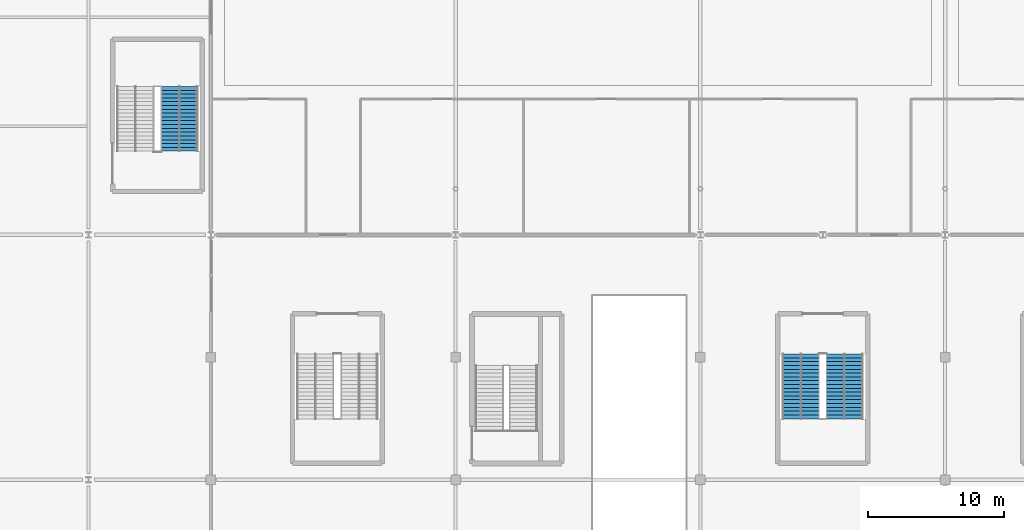
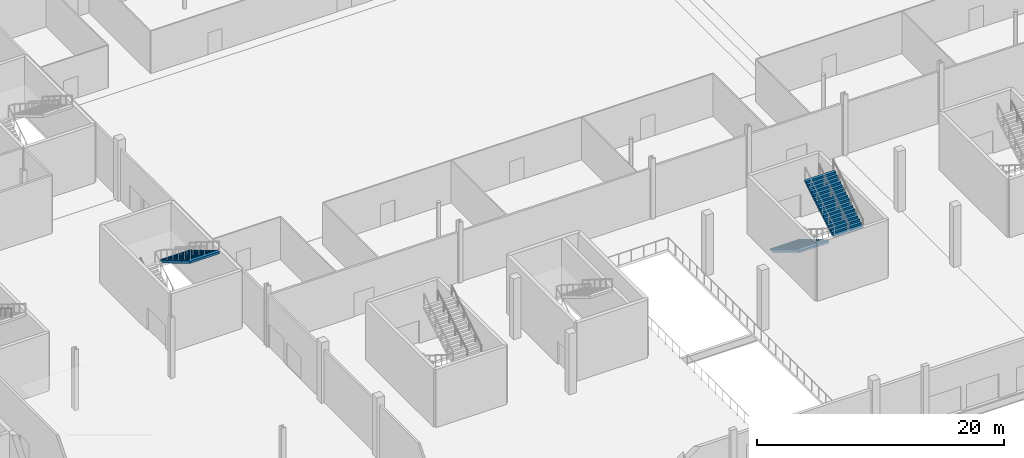
# One storey, part 56 of 84: 3 stair flights, 2 elements without a shape of their own.
"""IFC4 building model written with IfcOpenShell, lengths in metres."""

import ifcopenshell
import ifcopenshell.guid

model = None  # the IFC model being written
_history = None  # IfcOwnerHistory: only IFC2X3 demands one
_inside = {}  # id of a spatial element -> (the spatial element, [elements in it])
_under = {}  # id of a project, library or spatial element -> (it, [spatial elements below it])
_declared = {}  # id of a project -> (the project, [libraries it declares])
_typed = {}  # id of a type object -> (the type object, [elements of that type])
_made_of = {}  # id of a material, layer set ... -> (it, [elements and type objects made of it])


def new_model(schema):
    """Start an empty IFC model of exactly this schema.

    Asked for "IFC4X3", IfcOpenShell would pick the latest addendum, in which some entities
    have other attributes; the version numbers below select the first issue.
    IFC2X3 requires an IfcOwnerHistory on every rooted entity: one is made here for all.
    """
    global model, _history
    if schema == "IFC4X3":
        model = ifcopenshell.file(schema_version=(4, 3, 0, 0))
    else:
        model = ifcopenshell.file(schema=schema)
    _inside.clear()
    _under.clear()
    _declared.clear()
    _typed.clear()
    _made_of.clear()
    _history = None
    if model.schema == "IFC2X3":
        org = make("IfcOrganization", Name="unknown")
        user = make(
            "IfcPersonAndOrganization",
            ThePerson=make("IfcPerson", FamilyName="unknown"),
            TheOrganization=org,
        )
        app = make(
            "IfcApplication",
            ApplicationDeveloper=org,
            Version="unknown",
            ApplicationFullName="unknown",
            ApplicationIdentifier="unknown",
        )
        _history = make(
            "IfcOwnerHistory",
            OwningUser=user,
            OwningApplication=app,
            ChangeAction="ADDED",
            CreationDate=0,
        )
    return model


def make(cls, **values):
    """One entity of the class cls with the attributes given. An attribute that is None is left unset."""
    return model.create_entity(
        cls, **{name: value for name, value in values.items() if value is not None}
    )


def rooted(cls, **values):
    """An entity with a GlobalId (a new one), such as an element, a storey or a relation."""
    return make(cls, GlobalId=ifcopenshell.guid.new(), OwnerHistory=_history, **values)


def si_unit(unit_type, name, prefix=None):
    """IfcSIUnit, for example si_unit("LENGTHUNIT", "METRE", prefix="MILLI")."""
    return make("IfcSIUnit", UnitType=unit_type, Prefix=prefix, Name=name)


def assignment(units):
    """IfcUnitAssignment: the units of a project."""
    return None if units is None else make("IfcUnitAssignment", Units=units)


def point(xyz):
    """IfcCartesianPoint."""
    return None if xyz is None else make("IfcCartesianPoint", Coordinates=xyz)


def direction(xyz):
    """IfcDirection."""
    return None if xyz is None else make("IfcDirection", DirectionRatios=xyz)


def frame(location, z_axis=None, x_axis=None):
    """IfcAxis2Placement3D, a coordinate frame: its origin and axes. An axis left out is left unset."""
    return make(
        "IfcAxis2Placement3D",
        Location=point(location),
        Axis=direction(z_axis),
        RefDirection=direction(x_axis),
    )


def origin():
    """The frame at (0, 0, 0) with its axes left unset."""
    return frame((0.0, 0.0, 0.0))


def place(relative_to, where):
    """IfcLocalPlacement: puts the frame where relative to a parent placement (None: the world)."""
    return make(
        "IfcLocalPlacement", PlacementRelTo=relative_to, RelativePlacement=where
    )


def context(
    kind, dimensions, precision=None, world=None, true_north=None, identifier=None
):
    """IfcGeometricRepresentationContext, for example the 3D "Model" context."""
    return make(
        "IfcGeometricRepresentationContext",
        ContextIdentifier=identifier,
        ContextType=kind,
        CoordinateSpaceDimension=dimensions,
        Precision=precision,
        WorldCoordinateSystem=world,
        TrueNorth=true_north,
    )


def subcontext(parent, identifier, kind, view, scale=None):
    """IfcGeometricRepresentationSubContext, for example "Body" below "Model"."""
    return make(
        "IfcGeometricRepresentationSubContext",
        ContextIdentifier=identifier,
        ContextType=kind,
        ParentContext=parent,
        TargetScale=scale,
        TargetView=view,
    )


def project(units=None, contexts=None):
    """IfcProject with its units and contexts."""
    return rooted(
        "IfcProject",
        Name="project",
        RepresentationContexts=contexts,
        UnitsInContext=assignment(units),
    )


def spatial(cls, under=None, at=None, **own):
    """A site, building, storey or space (cls), placed at a placement, below another one or the project."""
    s = rooted(cls, ObjectPlacement=at, **own)
    if under is not None:
        _under.setdefault(under.id(), (under, []))[1].append(s)
    return s


def point_list(points):
    """IfcCartesianPointList2D or 3D."""
    cls = (
        "IfcCartesianPointList2D" if len(points[0]) == 2 else "IfcCartesianPointList3D"
    )
    return make(cls, CoordList=points)


def polygons(points, faces, closed=None, point_numbers=None):
    """IfcPolygonalFaceSet: a face is its outer loop, then its inner loops; points numbered from 1."""
    made = []
    for loops in faces:
        if len(loops) == 1:
            made.append(make("IfcIndexedPolygonalFace", CoordIndex=loops[0]))
        else:
            made.append(
                make(
                    "IfcIndexedPolygonalFaceWithVoids",
                    CoordIndex=loops[0],
                    InnerCoordIndices=loops[1:],
                )
            )
    return make(
        "IfcPolygonalFaceSet",
        Coordinates=point_list(points),
        Closed=closed,
        Faces=made,
        PnIndex=point_numbers,
    )


def shape(context_of_items, identifier, shape_type, items):
    """IfcShapeRepresentation: the items that make up one representation, for example the "Body"."""
    return make(
        "IfcShapeRepresentation",
        ContextOfItems=context_of_items,
        RepresentationIdentifier=identifier,
        RepresentationType=shape_type,
        Items=items,
    )


def material(Name=None, Category=None):
    """IfcMaterial."""
    return make("IfcMaterial", Name=Name, Category=Category)


def made_of(thing, what):
    """Note that an element or type object is made of a material, layer set ...; save() writes the relation."""
    if what is not None:
        _made_of.setdefault(what.id(), (what, []))[1].append(thing)
    return thing


def type_object(cls, material=None, **own):
    """A type object (cls), such as IfcWallType, which elements share."""
    return made_of(rooted(cls, **own), material)


def element(
    cls,
    number,
    at=None,
    inside=None,
    cuts=None,
    type_object=None,
    material=None,
    context=None,
    identifier="Body",
    shape_type=None,
    held_by="IfcProductDefinitionShape",
    body=None,
    shapes=None,
    **own,
):
    """One element of the class cls, such as IfcWall. Its Tag is "e" and its number.

    at: its placement. inside: the storey or other place that contains it. cuts: it is an
    opening in that element (IfcRelVoidsElement). A single representation is given by context,
    identifier, shape_type and body (its items); several are given by shapes. held_by: the class
    of the entity that holds the representations. save() writes the other relations.
    """
    e = rooted(cls, Tag="e%d" % number, ObjectPlacement=at, **own)
    if body is not None:
        shapes = [shape(context, identifier, shape_type, body)]
    if shapes is not None:
        e.Representation = make(held_by, Representations=shapes)
    if inside is not None:
        _inside.setdefault(inside.id(), (inside, []))[1].append(e)
    if cuts is not None:
        rooted(
            "IfcRelVoidsElement", RelatingBuildingElement=cuts, RelatedOpeningElement=e
        )
    if type_object is not None:
        _typed.setdefault(type_object.id(), (type_object, []))[1].append(e)
    return made_of(e, material)


def aggregate(whole, parts):
    """IfcRelAggregates: a whole, such as a stair, and the parts it consists of."""
    return rooted("IfcRelAggregates", RelatingObject=whole, RelatedObjects=parts)


def save(model, path):
    """Write the relations noted so far, then the file.

    IfcRelAggregates (storeys below a building ...), IfcRelContainedInSpatialStructure (elements
    in a storey), IfcRelDefinesByType, IfcRelAssociatesMaterial and IfcRelDeclares: one each for
    every whole, place, type object, material and project.
    """
    for whole, parts in _under.values():
        aggregate(whole, parts)
    for where, things in _inside.values():
        rooted(
            "IfcRelContainedInSpatialStructure",
            RelatedElements=things,
            RelatingStructure=where,
        )
    for kind, things in _typed.values():
        rooted("IfcRelDefinesByType", RelatedObjects=things, RelatingType=kind)
    for what, things in _made_of.values():
        rooted("IfcRelAssociatesMaterial", RelatedObjects=things, RelatingMaterial=what)
    for by, libraries in _declared.values():
        rooted("IfcRelDeclares", RelatingContext=by, RelatedDefinitions=libraries)
    model.write(path)


model = new_model("IFC4")

# Units and contexts
model_context = context("Model", 3, precision=1e-05, world=origin(), true_north=direction((0.0, 1.0)))
body_context = subcontext(model_context, "Body", "Model", "MODEL_VIEW")
ifc_project = project(units=[si_unit("LENGTHUNIT", "METRE"), si_unit("AREAUNIT", "SQUARE_METRE"), si_unit("VOLUMEUNIT", "CUBIC_METRE"), si_unit("PLANEANGLEUNIT", "RADIAN"), si_unit("MASSUNIT", "GRAM", prefix="KILO")], contexts=[model_context])

# Site, building, storey
site_placement = place(None, origin())
site = spatial("IfcSite", under=ifc_project, at=site_placement, CompositionType="ELEMENT")
building_placement = place(site_placement, origin())
building = spatial("IfcBuilding", under=site, at=building_placement, Name="Kisiwana Market Hall", CompositionType="ELEMENT")
storey_placement = place(building_placement, origin())
storey = spatial("IfcBuildingStorey", under=building, at=storey_placement, Name="L00", CompositionType="ELEMENT", Elevation=0.0)

# Stair, stair flight
ifc_material_1 = material(Name="Concrete C32/40", Category="concrete")
stair_type = type_object("IfcStairType", Name="ST-ESC-6000", PredefinedType="TWO_STRAIGHT_RUN_STAIR", material=ifc_material_1)
stair_1_placement = place(storey_placement, origin())
stair_1 = element("IfcStair", 1, at=stair_1_placement, inside=storey, type_object=stair_type, Name="Escape stair ST-W9-L00", PredefinedType="TWO_STRAIGHT_RUN_STAIR")
ifc_material_2 = material(Name="Concrete C32/40", Category="concrete")
stair_flight_type = type_object("IfcStairFlightType", Name="SF-ESC-6000", PredefinedType="STRAIGHT", material=ifc_material_2)
stair_flight_1_placement = place(storey_placement, frame((42.679931640625, 46.919921875, 3.0), z_axis=(0.0, 0.0, 1.0), x_axis=(0.0, -1.0, 0.0)))
stair_flight_1 = element("IfcStairFlight", 2, at=stair_flight_1_placement, type_object=stair_flight_type, Name="ST-W9-L00 flight 2", NumberOfRisers=18, NumberOfTreads=17, PredefinedType="STRAIGHT", RiserHeight=0.166667, TreadLength=0.28, context=body_context, shape_type="Tessellation", body=[
    polygons([(0.0, -1.380127, 0.0), (0.0, -0.690125, 0.0), (0.0, -0.000122, 0.0), (0.0, 0.68988, 0.0), (0.0, 1.379883, 0.0), (0.0, -1.380127, 0.166748), (0.0, -0.690125, 0.166748), (0.0, -0.000122, 0.166748), (0.0, 0.68988, 0.166748), (0.0, 1.379883, 0.166748), (0.280029, -1.380127, 0.166748), (0.280029, -0.690125, 0.166748), (0.280029, -0.000122, 0.166748), (0.280029, 0.68988, 0.166748), (0.280029, 1.379883, 0.166748), (0.280029, -1.380127, 0.333252), (0.280029, -0.690125, 0.333252), (0.280029, -0.000122, 0.333252), (0.280029, 0.68988, 0.333252), (0.280029, 1.379883, 0.333252), (0.560059, -1.380127, 0.333252), (0.560059, -0.690125, 0.333252), (0.560059, -0.000122, 0.333252), (0.560059, 0.68988, 0.333252), (0.560059, 1.379883, 0.333252), (0.560059, -1.380127, 0.5), (0.560059, -0.690125, 0.5), (0.560059, -0.000122, 0.5), (0.560059, 0.68988, 0.5), (0.560059, 1.379883, 0.5), (0.840088, -1.380127, 0.5), (0.840088, -0.690125, 0.5), (0.840088, -0.000122, 0.5), (0.840088, 0.68988, 0.5), (0.840088, 1.379883, 0.5), (0.840088, -1.380127, 0.666748), (0.840088, -0.690125, 0.666748), (0.840088, -0.000122, 0.666748), (0.840088, 0.68988, 0.666748), (0.840088, 1.379883, 0.666748), (1.120117, -1.380127, 0.666748), (1.120117, -0.690125, 0.666748), (1.120117, -0.000122, 0.666748), (1.120117, 0.68988, 0.666748), (1.120117, 1.379883, 0.666748), (1.120117, -1.380127, 0.833252), (1.120117, -0.690125, 0.833252), (1.120117, -0.000122, 0.833252), (1.120117, 0.68988, 0.833252), (1.120117, 1.379883, 0.833252), (1.399902, -1.380127, 0.833252), (1.399902, -0.690125, 0.833252), (1.399902, -0.000122, 0.833252), (1.399902, 0.68988, 0.833252), (1.399902, 1.379883, 0.833252), (1.399902, -1.380127, 1.0), (1.399902, -0.690125, 1.0), (1.399902, -0.000122, 1.0), (1.399902, 0.68988, 1.0), (1.399902, 1.379883, 1.0), (1.679932, -1.380127, 1.0), (1.679932, -0.690125, 1.0), (1.679932, -0.000122, 1.0), (1.679932, 0.68988, 1.0), (1.679932, 1.379883, 1.0), (1.679932, -1.380127, 1.166748), (1.679932, -0.690125, 1.166748), (1.679932, -0.000122, 1.166748), (1.679932, 0.68988, 1.166748), (1.679932, 1.379883, 1.166748), (1.959961, -1.380127, 1.166748), (1.959961, -0.690125, 1.166748), (1.959961, -0.000122, 1.166748), (1.959961, 0.68988, 1.166748), (1.959961, 1.379883, 1.166748), (1.959961, -1.380127, 1.333252), (1.959961, -0.690125, 1.333252), (1.959961, -0.000122, 1.333252), (1.959961, 0.68988, 1.333252), (1.959961, 1.379883, 1.333252), (2.23999, -1.380127, 1.333252), (2.23999, -0.690125, 1.333252), (2.23999, -0.000122, 1.333252), (2.23999, 0.68988, 1.333252), (2.23999, 1.379883, 1.333252), (2.23999, -1.380127, 1.5), (2.23999, -0.690125, 1.5), (2.23999, -0.000122, 1.5), (2.23999, 0.68988, 1.5), (2.23999, 1.379883, 1.5), (2.52002, -1.380127, 1.5), (2.52002, -0.690125, 1.5), (2.52002, -0.000122, 1.5), (2.52002, 0.68988, 1.5), (2.52002, 1.379883, 1.5), (2.52002, -1.380127, 1.666748), (2.52002, -0.690125, 1.666748), (2.52002, -0.000122, 1.666748), (2.52002, 0.68988, 1.666748), (2.52002, 1.379883, 1.666748), (2.800049, -1.380127, 1.666748), (2.800049, -0.690125, 1.666748), (2.800049, -0.000122, 1.666748), (2.800049, 0.68988, 1.666748), (2.800049, 1.379883, 1.666748), (2.800049, -1.380127, 1.833252), (2.800049, -0.690125, 1.833252), (2.800049, -0.000122, 1.833252), (2.800049, 0.68988, 1.833252), (2.800049, 1.379883, 1.833252), (3.080078, -1.380127, 1.833252), (3.080078, -0.690125, 1.833252), (3.080078, -0.000122, 1.833252), (3.080078, 0.68988, 1.833252), (3.080078, 1.379883, 1.833252), (3.080078, -1.380127, 2.0), (3.080078, -0.690125, 2.0), (3.080078, -0.000122, 2.0), (3.080078, 0.68988, 2.0), (3.080078, 1.379883, 2.0), (3.360107, -1.380127, 2.0), (3.360107, -0.690125, 2.0), (3.360107, -0.000122, 2.0), (3.360107, 0.68988, 2.0), (3.360107, 1.379883, 2.0), (3.360107, -1.380127, 2.166748), (3.360107, -0.690125, 2.166748), (3.360107, -0.000122, 2.166748), (3.360107, 0.68988, 2.166748), (3.360107, 1.379883, 2.166748), (3.639893, -1.380127, 2.166748), (3.639893, -0.690125, 2.166748), (3.639893, -0.000122, 2.166748), (3.639893, 0.68988, 2.166748), (3.639893, 1.379883, 2.166748), (3.639893, -1.380127, 2.333252), (3.639893, -0.690125, 2.333252), (3.639893, -0.000122, 2.333252), (3.639893, 0.68988, 2.333252), (3.639893, 1.379883, 2.333252), (3.919922, -1.380127, 2.333252), (3.919922, -0.690125, 2.333252), (3.919922, -0.000122, 2.333252), (3.919922, 0.68988, 2.333252), (3.919922, 1.379883, 2.333252), (3.919922, -1.380127, 2.5), (3.919922, -0.690125, 2.5), (3.919922, -0.000122, 2.5), (3.919922, 0.68988, 2.5), (3.919922, 1.379883, 2.5), (4.199951, -1.380127, 2.5), (4.199951, -0.690125, 2.5), (4.199951, -0.000122, 2.5), (4.199951, 0.68988, 2.5), (4.199951, 1.379883, 2.5), (4.199951, -1.380127, 2.666748), (4.199951, -0.690125, 2.666748), (4.199951, -0.000122, 2.666748), (4.199951, 0.68988, 2.666748), (4.199951, 1.379883, 2.666748), (4.47998, -1.380127, 2.666748), (4.47998, -0.690125, 2.666748), (4.47998, -0.000122, 2.666748), (4.47998, 0.68988, 2.666748), (4.47998, 1.379883, 2.666748), (4.47998, -1.380127, 2.833252), (4.47998, -0.690125, 2.833252), (4.47998, -0.000122, 2.833252), (4.47998, 0.68988, 2.833252), (4.47998, 1.379883, 2.833252), (4.76001, -1.380127, 2.833252), (4.76001, -0.690125, 2.833252), (4.76001, -0.000122, 2.833252), (4.76001, 0.68988, 2.833252), (4.76001, 1.379883, 2.833252), (4.76001, -1.380127, 2.624023), (4.76001, -0.690125, 2.624023), (4.76001, -0.000122, 2.624023), (4.76001, 0.68988, 2.624023), (4.76001, 1.379883, 2.624023), (0.351807, -1.380127, 0.0), (0.351807, -0.690125, 0.0), (0.351807, -0.000122, 0.0), (0.351807, 0.68988, 0.0), (0.351807, 1.379883, 0.0)], [[[1, 6, 7, 2]], [[2, 7, 8, 3]], [[3, 8, 9, 4]], [[4, 9, 10, 5]], [[6, 11, 12, 7]], [[7, 12, 13, 8]], [[8, 13, 14, 9]], [[9, 14, 15, 10]], [[11, 16, 17, 12]], [[12, 17, 18, 13]], [[13, 18, 19, 14]], [[14, 19, 20, 15]], [[16, 21, 22, 17]], [[17, 22, 23, 18]], [[18, 23, 24, 19]], [[19, 24, 25, 20]], [[21, 26, 27, 22]], [[22, 27, 28, 23]], [[23, 28, 29, 24]], [[24, 29, 30, 25]], [[26, 31, 32, 27]], [[27, 32, 33, 28]], [[28, 33, 34, 29]], [[29, 34, 35, 30]], [[31, 36, 37, 32]], [[32, 37, 38, 33]], [[33, 38, 39, 34]], [[34, 39, 40, 35]], [[36, 41, 42, 37]], [[37, 42, 43, 38]], [[38, 43, 44, 39]], [[39, 44, 45, 40]], [[41, 46, 47, 42]], [[42, 47, 48, 43]], [[43, 48, 49, 44]], [[44, 49, 50, 45]], [[46, 51, 52, 47]], [[47, 52, 53, 48]], [[48, 53, 54, 49]], [[49, 54, 55, 50]], [[51, 56, 57, 52]], [[52, 57, 58, 53]], [[53, 58, 59, 54]], [[54, 59, 60, 55]], [[56, 61, 62, 57]], [[57, 62, 63, 58]], [[58, 63, 64, 59]], [[59, 64, 65, 60]], [[61, 66, 67, 62]], [[62, 67, 68, 63]], [[63, 68, 69, 64]], [[64, 69, 70, 65]], [[66, 71, 72, 67]], [[67, 72, 73, 68]], [[68, 73, 74, 69]], [[69, 74, 75, 70]], [[71, 76, 77, 72]], [[72, 77, 78, 73]], [[73, 78, 79, 74]], [[74, 79, 80, 75]], [[76, 81, 82, 77]], [[77, 82, 83, 78]], [[78, 83, 84, 79]], [[79, 84, 85, 80]], [[81, 86, 87, 82]], [[82, 87, 88, 83]], [[83, 88, 89, 84]], [[84, 89, 90, 85]], [[86, 91, 92, 87]], [[87, 92, 93, 88]], [[88, 93, 94, 89]], [[89, 94, 95, 90]], [[91, 96, 97, 92]], [[92, 97, 98, 93]], [[93, 98, 99, 94]], [[94, 99, 100, 95]], [[96, 101, 102, 97]], [[97, 102, 103, 98]], [[98, 103, 104, 99]], [[99, 104, 105, 100]], [[101, 106, 107, 102]], [[102, 107, 108, 103]], [[103, 108, 109, 104]], [[104, 109, 110, 105]], [[106, 111, 112, 107]], [[107, 112, 113, 108]], [[108, 113, 114, 109]], [[109, 114, 115, 110]], [[111, 116, 117, 112]], [[112, 117, 118, 113]], [[113, 118, 119, 114]], [[114, 119, 120, 115]], [[116, 121, 122, 117]], [[117, 122, 123, 118]], [[118, 123, 124, 119]], [[119, 124, 125, 120]], [[121, 126, 127, 122]], [[122, 127, 128, 123]], [[123, 128, 129, 124]], [[124, 129, 130, 125]], [[126, 131, 132, 127]], [[127, 132, 133, 128]], [[128, 133, 134, 129]], [[129, 134, 135, 130]], [[131, 136, 137, 132]], [[132, 137, 138, 133]], [[133, 138, 139, 134]], [[134, 139, 140, 135]], [[136, 141, 142, 137]], [[137, 142, 143, 138]], [[138, 143, 144, 139]], [[139, 144, 145, 140]], [[141, 146, 147, 142]], [[142, 147, 148, 143]], [[143, 148, 149, 144]], [[144, 149, 150, 145]], [[146, 151, 152, 147]], [[147, 152, 153, 148]], [[148, 153, 154, 149]], [[149, 154, 155, 150]], [[151, 156, 157, 152]], [[152, 157, 158, 153]], [[153, 158, 159, 154]], [[154, 159, 160, 155]], [[156, 161, 162, 157]], [[157, 162, 163, 158]], [[158, 163, 164, 159]], [[159, 164, 165, 160]], [[161, 166, 167, 162]], [[162, 167, 168, 163]], [[163, 168, 169, 164]], [[164, 169, 170, 165]], [[166, 171, 172, 167]], [[167, 172, 173, 168]], [[168, 173, 174, 169]], [[169, 174, 175, 170]], [[171, 176, 177, 172]], [[172, 177, 178, 173]], [[173, 178, 179, 174]], [[174, 179, 180, 175]], [[176, 181, 182, 177]], [[177, 182, 183, 178]], [[178, 183, 184, 179]], [[179, 184, 185, 180]], [[181, 1, 2, 182]], [[182, 2, 3, 183]], [[183, 3, 4, 184]], [[184, 4, 5, 185]], [[181, 176, 171, 166, 161, 156, 151, 146, 141, 136, 131, 126, 121, 116, 111, 106, 101, 96, 91, 86, 81, 76, 71, 66, 61, 56, 51, 46, 41, 36, 31, 26, 21, 16, 11, 6, 1]], [[5, 10, 15, 20, 25, 30, 35, 40, 45, 50, 55, 60, 65, 70, 75, 80, 85, 90, 95, 100, 105, 110, 115, 120, 125, 130, 135, 140, 145, 150, 155, 160, 165, 170, 175, 180, 185]]], closed=True),
])
aggregate(stair_1, [stair_flight_1])

# Stair, stair flights
stair_2_placement = place(storey_placement, origin())
stair_2 = element("IfcStair", 3, at=stair_2_placement, inside=storey, type_object=stair_type, Name="Escape stair ST-S4-L00", PredefinedType="TWO_STRAIGHT_RUN_STAIR")
stair_flight_2_placement = place(storey_placement, frame((88.389892578125, 27.239990234375, 0.0), z_axis=(0.0, 0.0, 1.0), x_axis=(0.0, -1.0, 0.0)))
stair_flight_2 = element("IfcStairFlight", 4, at=stair_flight_2_placement, type_object=stair_flight_type, Name="ST-S4-L00 flight 1", NumberOfRisers=18, NumberOfTreads=17, PredefinedType="STRAIGHT", RiserHeight=0.166667, TreadLength=0.28, context=body_context, shape_type="Tessellation", body=[
    polygons([(0.0, -1.380127, 0.0), (0.0, -0.690125, 0.0), (0.0, -0.000122, 0.0), (0.0, 0.68988, 0.0), (0.0, 1.379883, 0.0), (0.0, -1.380127, 0.166748), (0.0, -0.690125, 0.166748), (0.0, -0.000122, 0.166748), (0.0, 0.68988, 0.166748), (0.0, 1.379883, 0.166748), (0.280029, -1.380127, 0.166748), (0.280029, -0.690125, 0.166748), (0.280029, -0.000122, 0.166748), (0.280029, 0.68988, 0.166748), (0.280029, 1.379883, 0.166748), (0.280029, -1.380127, 0.333252), (0.280029, -0.690125, 0.333252), (0.280029, -0.000122, 0.333252), (0.280029, 0.68988, 0.333252), (0.280029, 1.379883, 0.333252), (0.560059, -1.380127, 0.333252), (0.560059, -0.690125, 0.333252), (0.560059, -0.000122, 0.333252), (0.560059, 0.68988, 0.333252), (0.560059, 1.379883, 0.333252), (0.560059, -1.380127, 0.5), (0.560059, -0.690125, 0.5), (0.560059, -0.000122, 0.5), (0.560059, 0.68988, 0.5), (0.560059, 1.379883, 0.5), (0.840088, -1.380127, 0.5), (0.840088, -0.690125, 0.5), (0.840088, -0.000122, 0.5), (0.840088, 0.68988, 0.5), (0.840088, 1.379883, 0.5), (0.840088, -1.380127, 0.666748), (0.840088, -0.690125, 0.666748), (0.840088, -0.000122, 0.666748), (0.840088, 0.68988, 0.666748), (0.840088, 1.379883, 0.666748), (1.120117, -1.380127, 0.666748), (1.120117, -0.690125, 0.666748), (1.120117, -0.000122, 0.666748), (1.120117, 0.68988, 0.666748), (1.120117, 1.379883, 0.666748), (1.120117, -1.380127, 0.833252), (1.120117, -0.690125, 0.833252), (1.120117, -0.000122, 0.833252), (1.120117, 0.68988, 0.833252), (1.120117, 1.379883, 0.833252), (1.399902, -1.380127, 0.833252), (1.399902, -0.690125, 0.833252), (1.399902, -0.000122, 0.833252), (1.399902, 0.68988, 0.833252), (1.399902, 1.379883, 0.833252), (1.399902, -1.380127, 1.0), (1.399902, -0.690125, 1.0), (1.399902, -0.000122, 1.0), (1.399902, 0.68988, 1.0), (1.399902, 1.379883, 1.0), (1.679932, -1.380127, 1.0), (1.679932, -0.690125, 1.0), (1.679932, -0.000122, 1.0), (1.679932, 0.68988, 1.0), (1.679932, 1.379883, 1.0), (1.679932, -1.380127, 1.166748), (1.679932, -0.690125, 1.166748), (1.679932, -0.000122, 1.166748), (1.679932, 0.68988, 1.166748), (1.679932, 1.379883, 1.166748), (1.959961, -1.380127, 1.166748), (1.959961, -0.690125, 1.166748), (1.959961, -0.000122, 1.166748), (1.959961, 0.68988, 1.166748), (1.959961, 1.379883, 1.166748), (1.959961, -1.380127, 1.333252), (1.959961, -0.690125, 1.333252), (1.959961, -0.000122, 1.333252), (1.959961, 0.68988, 1.333252), (1.959961, 1.379883, 1.333252), (2.23999, -1.380127, 1.333252), (2.23999, -0.690125, 1.333252), (2.23999, -0.000122, 1.333252), (2.23999, 0.68988, 1.333252), (2.23999, 1.379883, 1.333252), (2.23999, -1.380127, 1.5), (2.23999, -0.690125, 1.5), (2.23999, -0.000122, 1.5), (2.23999, 0.68988, 1.5), (2.23999, 1.379883, 1.5), (2.52002, -1.380127, 1.5), (2.52002, -0.690125, 1.5), (2.52002, -0.000122, 1.5), (2.52002, 0.68988, 1.5), (2.52002, 1.379883, 1.5), (2.52002, -1.380127, 1.666748), (2.52002, -0.690125, 1.666748), (2.52002, -0.000122, 1.666748), (2.52002, 0.68988, 1.666748), (2.52002, 1.379883, 1.666748), (2.800049, -1.380127, 1.666748), (2.800049, -0.690125, 1.666748), (2.800049, -0.000122, 1.666748), (2.800049, 0.68988, 1.666748), (2.800049, 1.379883, 1.666748), (2.800049, -1.380127, 1.833252), (2.800049, -0.690125, 1.833252), (2.800049, -0.000122, 1.833252), (2.800049, 0.68988, 1.833252), (2.800049, 1.379883, 1.833252), (3.080078, -1.380127, 1.833252), (3.080078, -0.690125, 1.833252), (3.080078, -0.000122, 1.833252), (3.080078, 0.68988, 1.833252), (3.080078, 1.379883, 1.833252), (3.080078, -1.380127, 2.0), (3.080078, -0.690125, 2.0), (3.080078, -0.000122, 2.0), (3.080078, 0.68988, 2.0), (3.080078, 1.379883, 2.0), (3.360107, -1.380127, 2.0), (3.360107, -0.690125, 2.0), (3.360107, -0.000122, 2.0), (3.360107, 0.68988, 2.0), (3.360107, 1.379883, 2.0), (3.360107, -1.380127, 2.166748), (3.360107, -0.690125, 2.166748), (3.360107, -0.000122, 2.166748), (3.360107, 0.68988, 2.166748), (3.360107, 1.379883, 2.166748), (3.639893, -1.380127, 2.166748), (3.639893, -0.690125, 2.166748), (3.639893, -0.000122, 2.166748), (3.639893, 0.68988, 2.166748), (3.639893, 1.379883, 2.166748), (3.639893, -1.380127, 2.333252), (3.639893, -0.690125, 2.333252), (3.639893, -0.000122, 2.333252), (3.639893, 0.68988, 2.333252), (3.639893, 1.379883, 2.333252), (3.919922, -1.380127, 2.333252), (3.919922, -0.690125, 2.333252), (3.919922, -0.000122, 2.333252), (3.919922, 0.68988, 2.333252), (3.919922, 1.379883, 2.333252), (3.919922, -1.380127, 2.5), (3.919922, -0.690125, 2.5), (3.919922, -0.000122, 2.5), (3.919922, 0.68988, 2.5), (3.919922, 1.379883, 2.5), (4.199951, -1.380127, 2.5), (4.199951, -0.690125, 2.5), (4.199951, -0.000122, 2.5), (4.199951, 0.68988, 2.5), (4.199951, 1.379883, 2.5), (4.199951, -1.380127, 2.666748), (4.199951, -0.690125, 2.666748), (4.199951, -0.000122, 2.666748), (4.199951, 0.68988, 2.666748), (4.199951, 1.379883, 2.666748), (4.47998, -1.380127, 2.666748), (4.47998, -0.690125, 2.666748), (4.47998, -0.000122, 2.666748), (4.47998, 0.68988, 2.666748), (4.47998, 1.379883, 2.666748), (4.47998, -1.380127, 2.833252), (4.47998, -0.690125, 2.833252), (4.47998, -0.000122, 2.833252), (4.47998, 0.68988, 2.833252), (4.47998, 1.379883, 2.833252), (4.76001, -1.380127, 2.833252), (4.76001, -0.690125, 2.833252), (4.76001, -0.000122, 2.833252), (4.76001, 0.68988, 2.833252), (4.76001, 1.379883, 2.833252), (4.76001, -1.380127, 2.624023), (4.76001, -0.690125, 2.624023), (4.76001, -0.000122, 2.624023), (4.76001, 0.68988, 2.624023), (4.76001, 1.379883, 2.624023), (0.351807, -1.380127, 0.0), (0.351807, -0.690125, 0.0), (0.351807, -0.000122, 0.0), (0.351807, 0.68988, 0.0), (0.351807, 1.379883, 0.0)], [[[1, 6, 7, 2]], [[2, 7, 8, 3]], [[3, 8, 9, 4]], [[4, 9, 10, 5]], [[6, 11, 12, 7]], [[7, 12, 13, 8]], [[8, 13, 14, 9]], [[9, 14, 15, 10]], [[11, 16, 17, 12]], [[12, 17, 18, 13]], [[13, 18, 19, 14]], [[14, 19, 20, 15]], [[16, 21, 22, 17]], [[17, 22, 23, 18]], [[18, 23, 24, 19]], [[19, 24, 25, 20]], [[21, 26, 27, 22]], [[22, 27, 28, 23]], [[23, 28, 29, 24]], [[24, 29, 30, 25]], [[26, 31, 32, 27]], [[27, 32, 33, 28]], [[28, 33, 34, 29]], [[29, 34, 35, 30]], [[31, 36, 37, 32]], [[32, 37, 38, 33]], [[33, 38, 39, 34]], [[34, 39, 40, 35]], [[36, 41, 42, 37]], [[37, 42, 43, 38]], [[38, 43, 44, 39]], [[39, 44, 45, 40]], [[41, 46, 47, 42]], [[42, 47, 48, 43]], [[43, 48, 49, 44]], [[44, 49, 50, 45]], [[46, 51, 52, 47]], [[47, 52, 53, 48]], [[48, 53, 54, 49]], [[49, 54, 55, 50]], [[51, 56, 57, 52]], [[52, 57, 58, 53]], [[53, 58, 59, 54]], [[54, 59, 60, 55]], [[56, 61, 62, 57]], [[57, 62, 63, 58]], [[58, 63, 64, 59]], [[59, 64, 65, 60]], [[61, 66, 67, 62]], [[62, 67, 68, 63]], [[63, 68, 69, 64]], [[64, 69, 70, 65]], [[66, 71, 72, 67]], [[67, 72, 73, 68]], [[68, 73, 74, 69]], [[69, 74, 75, 70]], [[71, 76, 77, 72]], [[72, 77, 78, 73]], [[73, 78, 79, 74]], [[74, 79, 80, 75]], [[76, 81, 82, 77]], [[77, 82, 83, 78]], [[78, 83, 84, 79]], [[79, 84, 85, 80]], [[81, 86, 87, 82]], [[82, 87, 88, 83]], [[83, 88, 89, 84]], [[84, 89, 90, 85]], [[86, 91, 92, 87]], [[87, 92, 93, 88]], [[88, 93, 94, 89]], [[89, 94, 95, 90]], [[91, 96, 97, 92]], [[92, 97, 98, 93]], [[93, 98, 99, 94]], [[94, 99, 100, 95]], [[96, 101, 102, 97]], [[97, 102, 103, 98]], [[98, 103, 104, 99]], [[99, 104, 105, 100]], [[101, 106, 107, 102]], [[102, 107, 108, 103]], [[103, 108, 109, 104]], [[104, 109, 110, 105]], [[106, 111, 112, 107]], [[107, 112, 113, 108]], [[108, 113, 114, 109]], [[109, 114, 115, 110]], [[111, 116, 117, 112]], [[112, 117, 118, 113]], [[113, 118, 119, 114]], [[114, 119, 120, 115]], [[116, 121, 122, 117]], [[117, 122, 123, 118]], [[118, 123, 124, 119]], [[119, 124, 125, 120]], [[121, 126, 127, 122]], [[122, 127, 128, 123]], [[123, 128, 129, 124]], [[124, 129, 130, 125]], [[126, 131, 132, 127]], [[127, 132, 133, 128]], [[128, 133, 134, 129]], [[129, 134, 135, 130]], [[131, 136, 137, 132]], [[132, 137, 138, 133]], [[133, 138, 139, 134]], [[134, 139, 140, 135]], [[136, 141, 142, 137]], [[137, 142, 143, 138]], [[138, 143, 144, 139]], [[139, 144, 145, 140]], [[141, 146, 147, 142]], [[142, 147, 148, 143]], [[143, 148, 149, 144]], [[144, 149, 150, 145]], [[146, 151, 152, 147]], [[147, 152, 153, 148]], [[148, 153, 154, 149]], [[149, 154, 155, 150]], [[151, 156, 157, 152]], [[152, 157, 158, 153]], [[153, 158, 159, 154]], [[154, 159, 160, 155]], [[156, 161, 162, 157]], [[157, 162, 163, 158]], [[158, 163, 164, 159]], [[159, 164, 165, 160]], [[161, 166, 167, 162]], [[162, 167, 168, 163]], [[163, 168, 169, 164]], [[164, 169, 170, 165]], [[166, 171, 172, 167]], [[167, 172, 173, 168]], [[168, 173, 174, 169]], [[169, 174, 175, 170]], [[171, 176, 177, 172]], [[172, 177, 178, 173]], [[173, 178, 179, 174]], [[174, 179, 180, 175]], [[176, 181, 182, 177]], [[177, 182, 183, 178]], [[178, 183, 184, 179]], [[179, 184, 185, 180]], [[181, 1, 2, 182]], [[182, 2, 3, 183]], [[183, 3, 4, 184]], [[184, 4, 5, 185]], [[181, 176, 171, 166, 161, 156, 151, 146, 141, 136, 131, 126, 121, 116, 111, 106, 101, 96, 91, 86, 81, 76, 71, 66, 61, 56, 51, 46, 41, 36, 31, 26, 21, 16, 11, 6, 1]], [[5, 10, 15, 20, 25, 30, 35, 40, 45, 50, 55, 60, 65, 70, 75, 80, 85, 90, 95, 100, 105, 110, 115, 120, 125, 130, 135, 140, 145, 150, 155, 160, 165, 170, 175, 180, 185]]], closed=True),
])
stair_flight_3_placement = place(storey_placement, frame((91.610107421875, 22.47998046875, 3.0), z_axis=(0.0, 0.0, 1.0), x_axis=(0.0, 1.0, 0.0)))
stair_flight_3 = element("IfcStairFlight", 5, at=stair_flight_3_placement, type_object=stair_flight_type, Name="ST-S4-L00 flight 2", NumberOfRisers=18, NumberOfTreads=17, PredefinedType="STRAIGHT", RiserHeight=0.166667, TreadLength=0.28, context=body_context, shape_type="Tessellation", body=[
    polygons([(0.0, -1.380127, 0.0), (0.0, -0.690125, 0.0), (0.0, -0.000122, 0.0), (0.0, 0.68988, 0.0), (0.0, 1.379883, 0.0), (0.0, -1.380127, 0.166748), (0.0, -0.690125, 0.166748), (0.0, -0.000122, 0.166748), (0.0, 0.68988, 0.166748), (0.0, 1.379883, 0.166748), (0.280029, -1.380127, 0.166748), (0.280029, -0.690125, 0.166748), (0.280029, -0.000122, 0.166748), (0.280029, 0.68988, 0.166748), (0.280029, 1.379883, 0.166748), (0.280029, -1.380127, 0.333252), (0.280029, -0.690125, 0.333252), (0.280029, -0.000122, 0.333252), (0.280029, 0.68988, 0.333252), (0.280029, 1.379883, 0.333252), (0.560059, -1.380127, 0.333252), (0.560059, -0.690125, 0.333252), (0.560059, -0.000122, 0.333252), (0.560059, 0.68988, 0.333252), (0.560059, 1.379883, 0.333252), (0.560059, -1.380127, 0.5), (0.560059, -0.690125, 0.5), (0.560059, -0.000122, 0.5), (0.560059, 0.68988, 0.5), (0.560059, 1.379883, 0.5), (0.840088, -1.380127, 0.5), (0.840088, -0.690125, 0.5), (0.840088, -0.000122, 0.5), (0.840088, 0.68988, 0.5), (0.840088, 1.379883, 0.5), (0.840088, -1.380127, 0.666748), (0.840088, -0.690125, 0.666748), (0.840088, -0.000122, 0.666748), (0.840088, 0.68988, 0.666748), (0.840088, 1.379883, 0.666748), (1.120117, -1.380127, 0.666748), (1.120117, -0.690125, 0.666748), (1.120117, -0.000122, 0.666748), (1.120117, 0.68988, 0.666748), (1.120117, 1.379883, 0.666748), (1.120117, -1.380127, 0.833252), (1.120117, -0.690125, 0.833252), (1.120117, -0.000122, 0.833252), (1.120117, 0.68988, 0.833252), (1.120117, 1.379883, 0.833252), (1.399902, -1.380127, 0.833252), (1.399902, -0.690125, 0.833252), (1.399902, -0.000122, 0.833252), (1.399902, 0.68988, 0.833252), (1.399902, 1.379883, 0.833252), (1.399902, -1.380127, 1.0), (1.399902, -0.690125, 1.0), (1.399902, -0.000122, 1.0), (1.399902, 0.68988, 1.0), (1.399902, 1.379883, 1.0), (1.679932, -1.380127, 1.0), (1.679932, -0.690125, 1.0), (1.679932, -0.000122, 1.0), (1.679932, 0.68988, 1.0), (1.679932, 1.379883, 1.0), (1.679932, -1.380127, 1.166748), (1.679932, -0.690125, 1.166748), (1.679932, -0.000122, 1.166748), (1.679932, 0.68988, 1.166748), (1.679932, 1.379883, 1.166748), (1.959961, -1.380127, 1.166748), (1.959961, -0.690125, 1.166748), (1.959961, -0.000122, 1.166748), (1.959961, 0.68988, 1.166748), (1.959961, 1.379883, 1.166748), (1.959961, -1.380127, 1.333252), (1.959961, -0.690125, 1.333252), (1.959961, -0.000122, 1.333252), (1.959961, 0.68988, 1.333252), (1.959961, 1.379883, 1.333252), (2.23999, -1.380127, 1.333252), (2.23999, -0.690125, 1.333252), (2.23999, -0.000122, 1.333252), (2.23999, 0.68988, 1.333252), (2.23999, 1.379883, 1.333252), (2.23999, -1.380127, 1.5), (2.23999, -0.690125, 1.5), (2.23999, -0.000122, 1.5), (2.23999, 0.68988, 1.5), (2.23999, 1.379883, 1.5), (2.52002, -1.380127, 1.5), (2.52002, -0.690125, 1.5), (2.52002, -0.000122, 1.5), (2.52002, 0.68988, 1.5), (2.52002, 1.379883, 1.5), (2.52002, -1.380127, 1.666748), (2.52002, -0.690125, 1.666748), (2.52002, -0.000122, 1.666748), (2.52002, 0.68988, 1.666748), (2.52002, 1.379883, 1.666748), (2.800049, -1.380127, 1.666748), (2.800049, -0.690125, 1.666748), (2.800049, -0.000122, 1.666748), (2.800049, 0.68988, 1.666748), (2.800049, 1.379883, 1.666748), (2.800049, -1.380127, 1.833252), (2.800049, -0.690125, 1.833252), (2.800049, -0.000122, 1.833252), (2.800049, 0.68988, 1.833252), (2.800049, 1.379883, 1.833252), (3.080078, -1.380127, 1.833252), (3.080078, -0.690125, 1.833252), (3.080078, -0.000122, 1.833252), (3.080078, 0.68988, 1.833252), (3.080078, 1.379883, 1.833252), (3.080078, -1.380127, 2.0), (3.080078, -0.690125, 2.0), (3.080078, -0.000122, 2.0), (3.080078, 0.68988, 2.0), (3.080078, 1.379883, 2.0), (3.360107, -1.380127, 2.0), (3.360107, -0.690125, 2.0), (3.360107, -0.000122, 2.0), (3.360107, 0.68988, 2.0), (3.360107, 1.379883, 2.0), (3.360107, -1.380127, 2.166748), (3.360107, -0.690125, 2.166748), (3.360107, -0.000122, 2.166748), (3.360107, 0.68988, 2.166748), (3.360107, 1.379883, 2.166748), (3.639893, -1.380127, 2.166748), (3.639893, -0.690125, 2.166748), (3.639893, -0.000122, 2.166748), (3.639893, 0.68988, 2.166748), (3.639893, 1.379883, 2.166748), (3.639893, -1.380127, 2.333252), (3.639893, -0.690125, 2.333252), (3.639893, -0.000122, 2.333252), (3.639893, 0.68988, 2.333252), (3.639893, 1.379883, 2.333252), (3.919922, -1.380127, 2.333252), (3.919922, -0.690125, 2.333252), (3.919922, -0.000122, 2.333252), (3.919922, 0.68988, 2.333252), (3.919922, 1.379883, 2.333252), (3.919922, -1.380127, 2.5), (3.919922, -0.690125, 2.5), (3.919922, -0.000122, 2.5), (3.919922, 0.68988, 2.5), (3.919922, 1.379883, 2.5), (4.199951, -1.380127, 2.5), (4.199951, -0.690125, 2.5), (4.199951, -0.000122, 2.5), (4.199951, 0.68988, 2.5), (4.199951, 1.379883, 2.5), (4.199951, -1.380127, 2.666748), (4.199951, -0.690125, 2.666748), (4.199951, -0.000122, 2.666748), (4.199951, 0.68988, 2.666748), (4.199951, 1.379883, 2.666748), (4.47998, -1.380127, 2.666748), (4.47998, -0.690125, 2.666748), (4.47998, -0.000122, 2.666748), (4.47998, 0.68988, 2.666748), (4.47998, 1.379883, 2.666748), (4.47998, -1.380127, 2.833252), (4.47998, -0.690125, 2.833252), (4.47998, -0.000122, 2.833252), (4.47998, 0.68988, 2.833252), (4.47998, 1.379883, 2.833252), (4.76001, -1.380127, 2.833252), (4.76001, -0.690125, 2.833252), (4.76001, -0.000122, 2.833252), (4.76001, 0.68988, 2.833252), (4.76001, 1.379883, 2.833252), (4.76001, -1.380127, 2.624023), (4.76001, -0.690125, 2.624023), (4.76001, -0.000122, 2.624023), (4.76001, 0.68988, 2.624023), (4.76001, 1.379883, 2.624023), (0.351807, -1.380127, 0.0), (0.351807, -0.690125, 0.0), (0.351807, -0.000122, 0.0), (0.351807, 0.68988, 0.0), (0.351807, 1.379883, 0.0)], [[[1, 6, 7, 2]], [[2, 7, 8, 3]], [[3, 8, 9, 4]], [[4, 9, 10, 5]], [[6, 11, 12, 7]], [[7, 12, 13, 8]], [[8, 13, 14, 9]], [[9, 14, 15, 10]], [[11, 16, 17, 12]], [[12, 17, 18, 13]], [[13, 18, 19, 14]], [[14, 19, 20, 15]], [[16, 21, 22, 17]], [[17, 22, 23, 18]], [[18, 23, 24, 19]], [[19, 24, 25, 20]], [[21, 26, 27, 22]], [[22, 27, 28, 23]], [[23, 28, 29, 24]], [[24, 29, 30, 25]], [[26, 31, 32, 27]], [[27, 32, 33, 28]], [[28, 33, 34, 29]], [[29, 34, 35, 30]], [[31, 36, 37, 32]], [[32, 37, 38, 33]], [[33, 38, 39, 34]], [[34, 39, 40, 35]], [[36, 41, 42, 37]], [[37, 42, 43, 38]], [[38, 43, 44, 39]], [[39, 44, 45, 40]], [[41, 46, 47, 42]], [[42, 47, 48, 43]], [[43, 48, 49, 44]], [[44, 49, 50, 45]], [[46, 51, 52, 47]], [[47, 52, 53, 48]], [[48, 53, 54, 49]], [[49, 54, 55, 50]], [[51, 56, 57, 52]], [[52, 57, 58, 53]], [[53, 58, 59, 54]], [[54, 59, 60, 55]], [[56, 61, 62, 57]], [[57, 62, 63, 58]], [[58, 63, 64, 59]], [[59, 64, 65, 60]], [[61, 66, 67, 62]], [[62, 67, 68, 63]], [[63, 68, 69, 64]], [[64, 69, 70, 65]], [[66, 71, 72, 67]], [[67, 72, 73, 68]], [[68, 73, 74, 69]], [[69, 74, 75, 70]], [[71, 76, 77, 72]], [[72, 77, 78, 73]], [[73, 78, 79, 74]], [[74, 79, 80, 75]], [[76, 81, 82, 77]], [[77, 82, 83, 78]], [[78, 83, 84, 79]], [[79, 84, 85, 80]], [[81, 86, 87, 82]], [[82, 87, 88, 83]], [[83, 88, 89, 84]], [[84, 89, 90, 85]], [[86, 91, 92, 87]], [[87, 92, 93, 88]], [[88, 93, 94, 89]], [[89, 94, 95, 90]], [[91, 96, 97, 92]], [[92, 97, 98, 93]], [[93, 98, 99, 94]], [[94, 99, 100, 95]], [[96, 101, 102, 97]], [[97, 102, 103, 98]], [[98, 103, 104, 99]], [[99, 104, 105, 100]], [[101, 106, 107, 102]], [[102, 107, 108, 103]], [[103, 108, 109, 104]], [[104, 109, 110, 105]], [[106, 111, 112, 107]], [[107, 112, 113, 108]], [[108, 113, 114, 109]], [[109, 114, 115, 110]], [[111, 116, 117, 112]], [[112, 117, 118, 113]], [[113, 118, 119, 114]], [[114, 119, 120, 115]], [[116, 121, 122, 117]], [[117, 122, 123, 118]], [[118, 123, 124, 119]], [[119, 124, 125, 120]], [[121, 126, 127, 122]], [[122, 127, 128, 123]], [[123, 128, 129, 124]], [[124, 129, 130, 125]], [[126, 131, 132, 127]], [[127, 132, 133, 128]], [[128, 133, 134, 129]], [[129, 134, 135, 130]], [[131, 136, 137, 132]], [[132, 137, 138, 133]], [[133, 138, 139, 134]], [[134, 139, 140, 135]], [[136, 141, 142, 137]], [[137, 142, 143, 138]], [[138, 143, 144, 139]], [[139, 144, 145, 140]], [[141, 146, 147, 142]], [[142, 147, 148, 143]], [[143, 148, 149, 144]], [[144, 149, 150, 145]], [[146, 151, 152, 147]], [[147, 152, 153, 148]], [[148, 153, 154, 149]], [[149, 154, 155, 150]], [[151, 156, 157, 152]], [[152, 157, 158, 153]], [[153, 158, 159, 154]], [[154, 159, 160, 155]], [[156, 161, 162, 157]], [[157, 162, 163, 158]], [[158, 163, 164, 159]], [[159, 164, 165, 160]], [[161, 166, 167, 162]], [[162, 167, 168, 163]], [[163, 168, 169, 164]], [[164, 169, 170, 165]], [[166, 171, 172, 167]], [[167, 172, 173, 168]], [[168, 173, 174, 169]], [[169, 174, 175, 170]], [[171, 176, 177, 172]], [[172, 177, 178, 173]], [[173, 178, 179, 174]], [[174, 179, 180, 175]], [[176, 181, 182, 177]], [[177, 182, 183, 178]], [[178, 183, 184, 179]], [[179, 184, 185, 180]], [[181, 1, 2, 182]], [[182, 2, 3, 183]], [[183, 3, 4, 184]], [[184, 4, 5, 185]], [[181, 176, 171, 166, 161, 156, 151, 146, 141, 136, 131, 126, 121, 116, 111, 106, 101, 96, 91, 86, 81, 76, 71, 66, 61, 56, 51, 46, 41, 36, 31, 26, 21, 16, 11, 6, 1]], [[5, 10, 15, 20, 25, 30, 35, 40, 45, 50, 55, 60, 65, 70, 75, 80, 85, 90, 95, 100, 105, 110, 115, 120, 125, 130, 135, 140, 145, 150, 155, 160, 165, 170, 175, 180, 185]]], closed=True),
])
aggregate(stair_2, [stair_flight_2, stair_flight_3])

save(model, "model.ifc")
